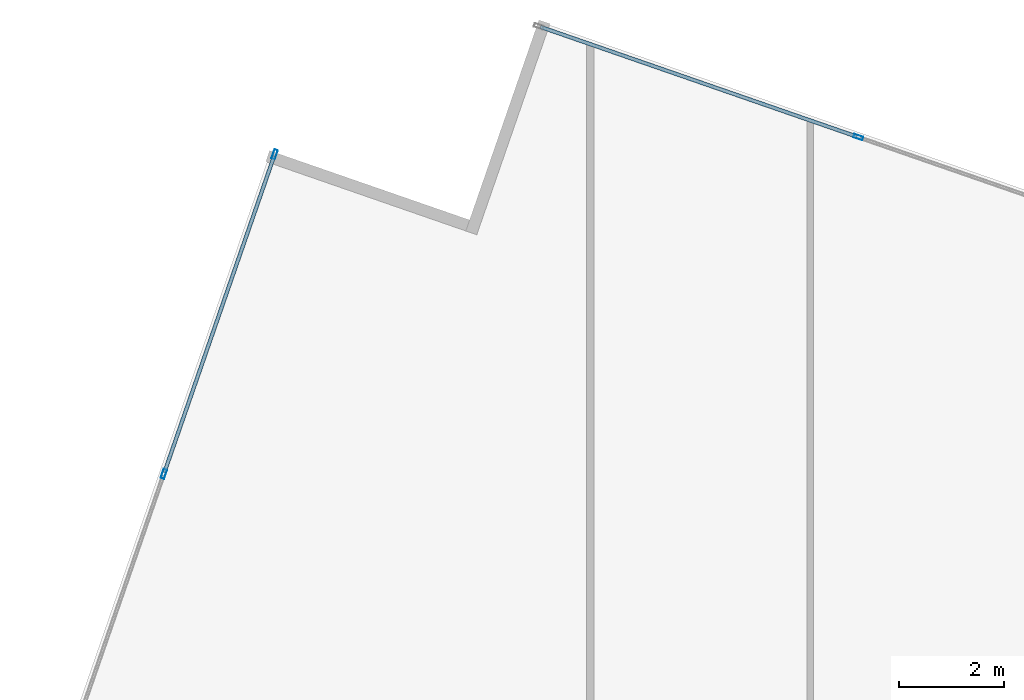
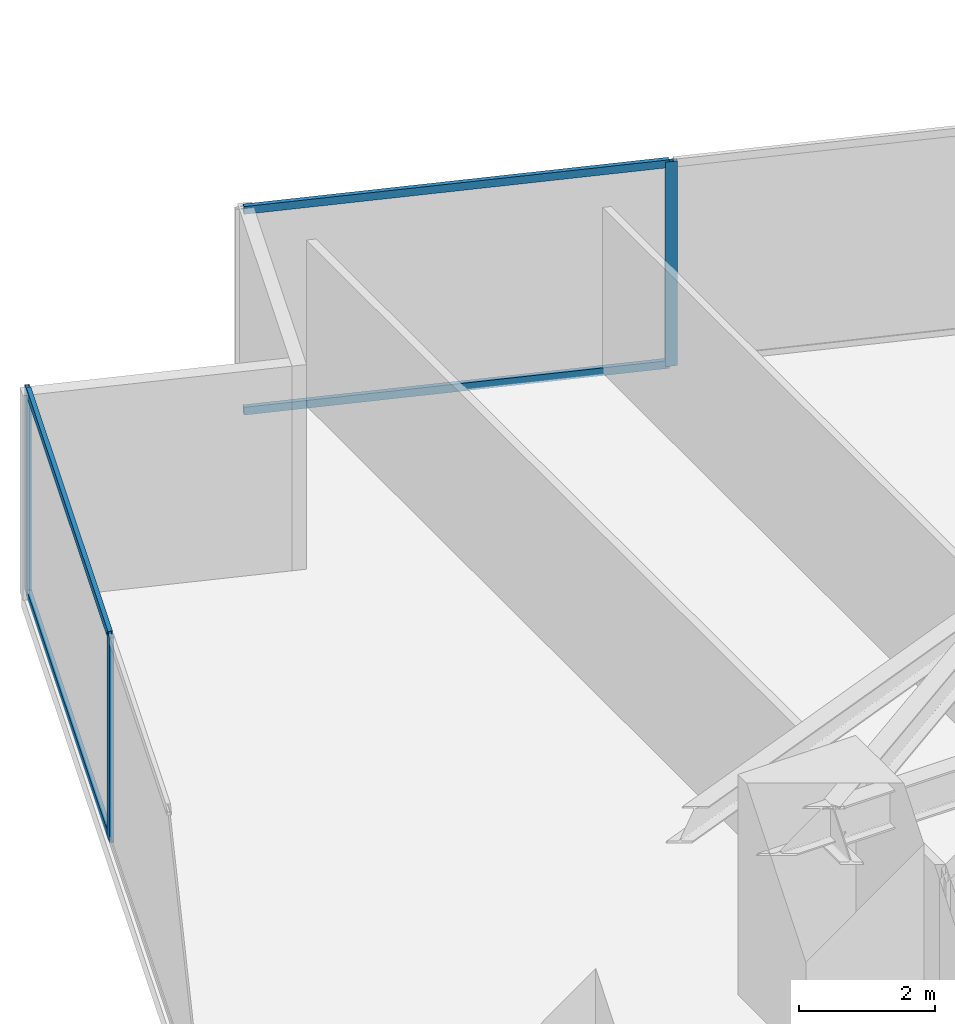
# One storey, part 17 of 27: 7 members, 2 elements without a shape of their own.
"""IFC4 building model written with IfcOpenShell, lengths in metres."""

from ifc_helpers import new_model, si_unit, direction, frame, origin, origin_2d, place, context, subcontext, project, spatial, hollow_rectangle, extrude, source, transform, mapped, material, material_profile, profile_set, type_object, type_shapes, element, aggregate, save


model = new_model("IFC4")

# Units and contexts
model_context = context("Model", 3, precision=1e-05, world=origin(), true_north=direction((0.0, 1.0)))
body_context = subcontext(model_context, "Body", "Model", "MODEL_VIEW")
ifc_project = project(units=[si_unit("LENGTHUNIT", "METRE"), si_unit("AREAUNIT", "SQUARE_METRE"), si_unit("VOLUMEUNIT", "CUBIC_METRE"), si_unit("PLANEANGLEUNIT", "RADIAN"), si_unit("MASSUNIT", "GRAM", prefix="KILO")], contexts=[model_context])

# Site, building, storey
site_placement = place(None, origin())
site = spatial("IfcSite", under=ifc_project, at=site_placement, CompositionType="ELEMENT")
building_placement = place(site_placement, origin())
building = spatial("IfcBuilding", under=site, at=building_placement, Name="Krantzveldt Concourse Tower", CompositionType="ELEMENT")
storey_placement = place(building_placement, frame((0.0, 0.0, 121.64990234375)))
storey = spatial("IfcBuildingStorey", under=building, at=storey_placement, Name="L29", CompositionType="ELEMENT", Elevation=121.64990234375)

# Curtain wall, members
ifc_material = material(Name="Anodised aluminium 6063-T6", Category="aluminium")
curtain_wall_type = type_object("IfcCurtainWallType", Name="CW2", PredefinedType="USERDEFINED", material=ifc_material)
curtain_wall_1_placement = place(storey_placement, origin())
curtain_wall_1 = element("IfcCurtainWall", 1, at=curtain_wall_1_placement, inside=storey, type_object=curtain_wall_type, Name="CW-L29-F01", ObjectType="UNITISED CURTAIN WALL", PredefinedType="USERDEFINED")
ifc_material_profile_1 = material_profile(ifc_material, hollow_rectangle(XDim=0.070068359375, YDim=0.179931640625, WallThickness=0.0048828125, at=origin_2d()), Name="Anodised aluminium 6063-T6", Category="aluminium")
ifc_profile_set_1 = profile_set([ifc_material_profile_1], Name="Anodised aluminium 6063-T6 - ALU-MULL 180x70x5")
member_type_1 = type_object("IfcMemberType", Name="CW-MUL-180", PredefinedType="MULLION", material=ifc_profile_set_1)
shared_shape_1 = source(origin(), body_context, "Body", "SweptSolid", [
    extrude(hollow_rectangle(XDim=0.070068359375, YDim=0.179931640625, WallThickness=0.0048828125, at=origin_2d()), origin(), (0.0, 0.0, 1.0), 3.670166015625),
])
type_shapes(member_type_1, [shared_shape_1])
member_1_placement = place(storey_placement, frame((20.321044921875, 52.63330078125, 0.0), z_axis=(0.0, 0.0, 1.0), x_axis=(0.944806041446, -0.32763019404, 0.0)))
member_1 = element("IfcMember", 2, at=member_1_placement, type_object=member_type_1, Name="CW-Z12 mullion 1", PredefinedType="MULLION", context=body_context, shape_type="MappedRepresentation", body=[
    mapped(shared_shape_1, transform((0.0, 0.0, 0.0), x_axis=(1.0, 0.0, 0.0), y_axis=(0.0, 1.0, 0.0), z_axis=(0.0, 0.0, 1.0), scale=1.0)),
])
member_2_placement = place(storey_placement, frame((18.2138671875, 46.556640625, 0.0), z_axis=(0.0, 0.0, 1.0), x_axis=(0.944806041446, -0.32763019404, 0.0)))
member_2 = element("IfcMember", 3, at=member_2_placement, type_object=member_type_1, Name="CW-Z12 mullion 2", PredefinedType="MULLION", context=body_context, shape_type="MappedRepresentation", body=[
    mapped(shared_shape_1, transform((0.0, 0.0, 0.0), x_axis=(1.0, 0.0, 0.0), y_axis=(0.0, 1.0, 0.0), z_axis=(0.0, 0.0, 1.0), scale=1.0)),
])

# Curtain wall, member
curtain_wall_2_placement = place(storey_placement, origin())
curtain_wall_2 = element("IfcCurtainWall", 4, at=curtain_wall_2_placement, inside=storey, type_object=curtain_wall_type, Name="CW-L29-F10", ObjectType="UNITISED CURTAIN WALL", PredefinedType="USERDEFINED")
member_3_placement = place(storey_placement, frame((31.41748046875, 52.960693359375, 0.0), z_axis=(0.0, 0.0, 1.0), x_axis=(-0.32763019404, -0.944806041446, 0.0)))
member_3 = element("IfcMember", 5, at=member_3_placement, type_object=member_type_1, Name="CW-Z12 mullion 6", PredefinedType="MULLION", context=body_context, shape_type="MappedRepresentation", body=[
    mapped(shared_shape_1, transform((0.0, 0.0, 0.0), x_axis=(1.0, 0.0, 0.0), y_axis=(0.0, 1.0, 0.0), z_axis=(0.0, 0.0, 1.0), scale=1.0)),
])

# Member
ifc_material_profile_2 = material_profile(ifc_material, hollow_rectangle(XDim=0.070068359375, YDim=0.139892578125, WallThickness=0.0048828125, at=origin_2d()), Name="Anodised aluminium 6063-T6", Category="aluminium")
ifc_profile_set_2 = profile_set([ifc_material_profile_2], Name="Anodised aluminium 6063-T6 - ALU-TRAN 140x70x5")
member_type_2 = type_object("IfcMemberType", Name="CW-TRN-150", PredefinedType="USERDEFINED", material=ifc_profile_set_2)
shared_shape_2 = source(origin(), body_context, "Body", "SweptSolid", [
    extrude(hollow_rectangle(XDim=0.070068359375, YDim=0.139892578125, WallThickness=0.0048828125, at=origin_2d()), origin(), (0.0, 0.0, 1.0), 6.361572265625),
])
type_shapes(member_type_2, [shared_shape_2])
member_4_placement = place(storey_placement, frame((20.3095703125, 52.60009765625, 0.03515625), z_axis=(-0.327625894764, -0.944807532294, 0.0), x_axis=(0.944807532294, -0.327625894764, 0.0)))
member_4 = element("IfcMember", 6, at=member_4_placement, type_object=member_type_2, Name="CW-Z12 transom 1.1", ObjectType="TRANSOM", PredefinedType="USERDEFINED", context=body_context, shape_type="MappedRepresentation", body=[
    mapped(shared_shape_2, transform((0.0, 0.0, 0.0), x_axis=(1.0, 0.0, 0.0), y_axis=(0.0, 1.0, 0.0), z_axis=(0.0, 0.0, 1.0), scale=1.0)),
])

member_5_placement = place(storey_placement, frame((20.3095703125, 52.60009765625, 3.635009765625), z_axis=(-0.327625894764, -0.944807532294, 0.0), x_axis=(0.944807532294, -0.327625894764, 0.0)))
member_5 = element("IfcMember", 7, at=member_5_placement, type_object=member_type_2, Name="CW-Z12 transom 1.2", ObjectType="TRANSOM", PredefinedType="USERDEFINED", context=body_context, shape_type="MappedRepresentation", body=[
    mapped(shared_shape_2, transform((0.0, 0.0, 0.0), x_axis=(1.0, 0.0, 0.0), y_axis=(0.0, 1.0, 0.0), z_axis=(0.0, 0.0, 1.0), scale=1.0)),
])

aggregate(curtain_wall_1, [member_1, member_2, member_4, member_5])

member_6_placement = place(storey_placement, frame((31.384521484375, 52.97216796875, 0.03515625), z_axis=(-0.944795652423, 0.327660151931, 0.0), x_axis=(-0.327660151931, -0.944795652423, 0.0)))
member_6 = element("IfcMember", 8, at=member_6_placement, type_object=member_type_2, Name="CW-Z12 transom 6.1", ObjectType="TRANSOM", PredefinedType="USERDEFINED", context=body_context, shape_type="MappedRepresentation", body=[
    mapped(shared_shape_2, transform((0.0, 0.0, 0.0), x_axis=(1.0, 0.0, 0.0), y_axis=(0.0, 1.0, 0.0), z_axis=(0.0, 0.0, 1.0), scale=1.0)),
])

member_7_placement = place(storey_placement, frame((31.384521484375, 52.97216796875, 3.635009765625), z_axis=(-0.944795652423, 0.327660151931, 0.0), x_axis=(-0.327660151931, -0.944795652423, 0.0)))
member_7 = element("IfcMember", 9, at=member_7_placement, type_object=member_type_2, Name="CW-Z12 transom 6.2", ObjectType="TRANSOM", PredefinedType="USERDEFINED", context=body_context, shape_type="MappedRepresentation", body=[
    mapped(shared_shape_2, transform((0.0, 0.0, 0.0), x_axis=(1.0, 0.0, 0.0), y_axis=(0.0, 1.0, 0.0), z_axis=(0.0, 0.0, 1.0), scale=1.0)),
])

aggregate(curtain_wall_2, [member_3, member_6, member_7])

save(model, "model.ifc")
